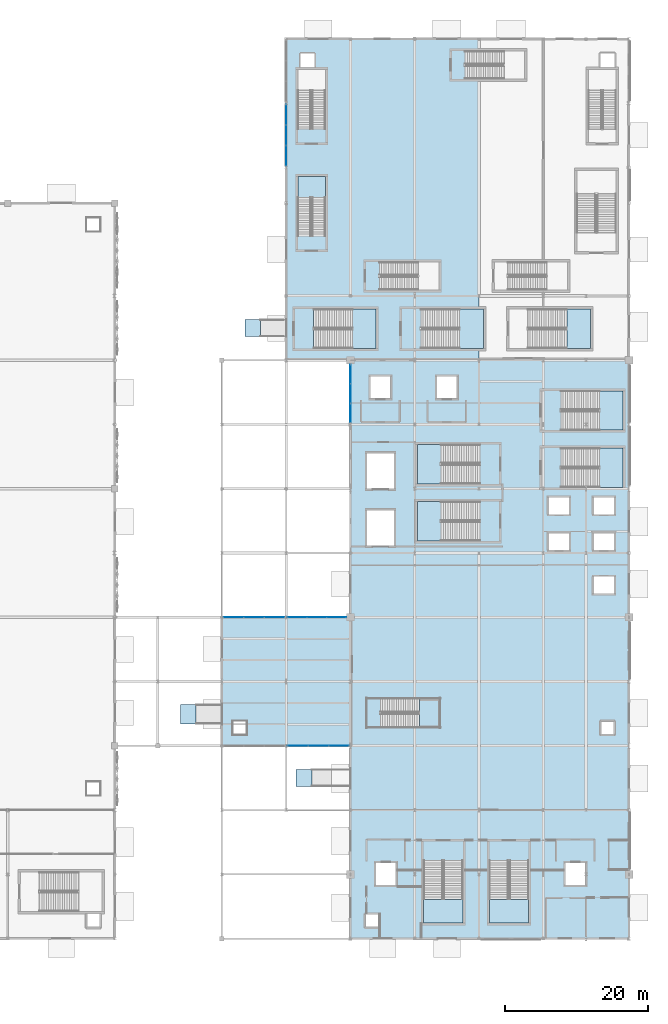
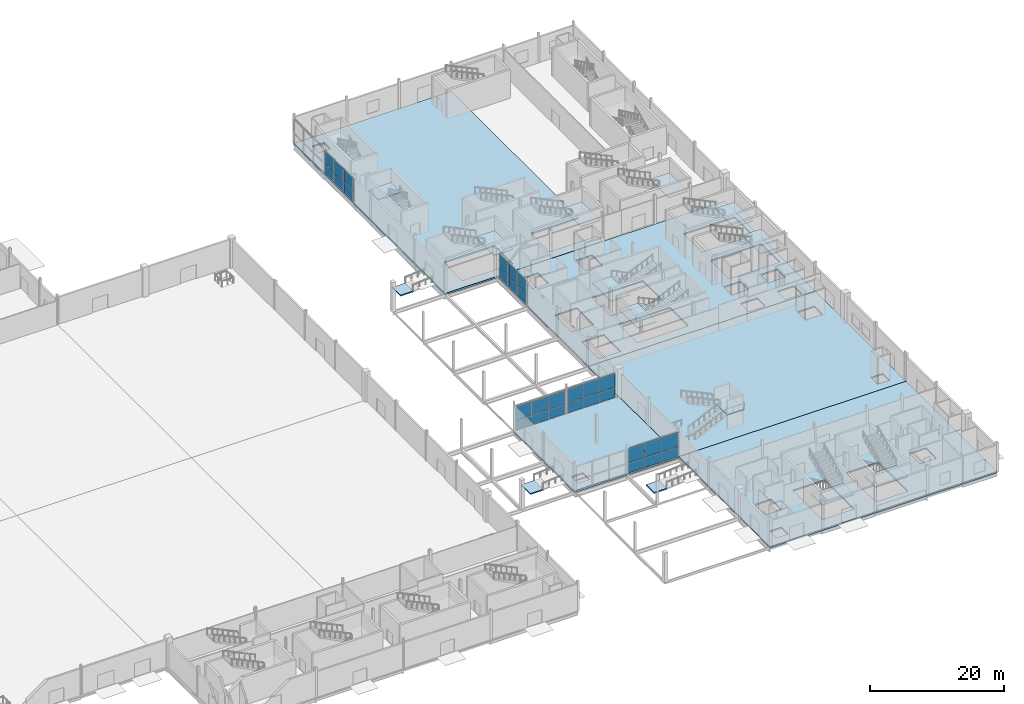
# One storey, part 47 of 94: 30 plates, 19 slabs, 19 elements without a shape of their own.
"""IFC4 building model written with IfcOpenShell, lengths in metres."""

from ifc_helpers import new_model, si_unit, direction, frame, origin, origin_2d, place, context, subcontext, project, spatial, polyline, rectangle, outline, extrude, material, layer, layer_set, type_object, element, aggregate, save


model = new_model("IFC4")

# Units and contexts
model_context = context("Model", 3, precision=1e-05, world=origin(), true_north=direction((0.0, 1.0)))
body_context = subcontext(model_context, "Body", "Model", "MODEL_VIEW")
ifc_project = project(units=[si_unit("LENGTHUNIT", "METRE"), si_unit("AREAUNIT", "SQUARE_METRE"), si_unit("VOLUMEUNIT", "CUBIC_METRE"), si_unit("PLANEANGLEUNIT", "RADIAN"), si_unit("MASSUNIT", "GRAM", prefix="KILO")], contexts=[model_context])

# Site, building, storey
site_placement = place(None, origin())
site = spatial("IfcSite", under=ifc_project, at=site_placement, CompositionType="ELEMENT")
building_placement = place(site_placement, origin())
building = spatial("IfcBuilding", under=site, at=building_placement, Name="Qamarlyn Nura Convention Centre", CompositionType="ELEMENT")
storey_placement = place(building_placement, origin())
storey = spatial("IfcBuildingStorey", under=building, at=storey_placement, Name="L00", CompositionType="ELEMENT", Elevation=0.0)

# Curtain wall, plates
ifc_material_1 = material(Name="Double-silver low-E insulated glass", Category="glass")
ifc_layer_1 = layer(ifc_material_1, 0.179931640625, Name="CW-UNIT-59")
ifc_layer_set_1 = layer_set([ifc_layer_1], Name="Double-silver low-E insulated glass")
curtain_wall_type_1 = type_object("IfcCurtainWallType", Name="CW-UNIT-59", PredefinedType="NOTDEFINED", material=ifc_layer_set_1)
curtain_wall_1_placement = place(storey_placement, origin())
curtain_wall_1 = element("IfcCurtainWall", 1, at=curtain_wall_1_placement, inside=storey, type_object=curtain_wall_type_1, Name="L00 unitised curtain wall WSS-L00-1", PredefinedType="NOTDEFINED")
ifc_layer_2 = layer(ifc_material_1, 0.028076171875, Name="CWP-VIS-28")
ifc_layer_set_2 = layer_set([ifc_layer_2], Name="Double-silver low-E insulated glass")
plate_type_1 = type_object("IfcPlateType", Name="CWP-VIS-28", PredefinedType="CURTAIN_PANEL", material=ifc_layer_set_2)
plate_1_placement = place(storey_placement, frame((151.3662109375, 27.0, 0.06005859375), z_axis=(0.0, 0.0, 1.0), x_axis=(-1.0, 0.0, 0.0)))
plate_1 = element("IfcPlate", 2, at=plate_1_placement, type_object=plate_type_1, Name="CW59 panel 1.1", PredefinedType="CURTAIN_PANEL", context=body_context, shape_type="SweptSolid", body=[
    extrude(rectangle(XDim=2.79248046875, YDim=0.028076171875, at=origin_2d()), origin(), (0.0, 0.0, 1.0), 1.822998046875),
])
plate_2_placement = place(storey_placement, frame((151.3662109375, 27.0, 1.94287109375), z_axis=(0.0, 0.0, 1.0), x_axis=(-1.0, 0.0, 0.0)))
plate_2 = element("IfcPlate", 3, at=plate_2_placement, type_object=plate_type_1, Name="CW59 panel 1.2", PredefinedType="CURTAIN_PANEL", context=body_context, shape_type="SweptSolid", body=[
    extrude(rectangle(XDim=2.79248046875, YDim=0.028076171875, at=origin_2d()), origin(), (0.0, 0.0, 1.0), 2.551025390625),
])
plate_3_placement = place(storey_placement, frame((148.498779296875, 27.0, 0.06005859375), z_axis=(0.0, 0.0, 1.0), x_axis=(-1.0, 0.0, 0.0)))
plate_3 = element("IfcPlate", 4, at=plate_3_placement, type_object=plate_type_1, Name="CW59 panel 2.1", PredefinedType="CURTAIN_PANEL", context=body_context, shape_type="SweptSolid", body=[
    extrude(rectangle(XDim=2.822509765625, YDim=0.028076171875, at=origin_2d()), origin(), (0.0, 0.0, 1.0), 1.822998046875),
])
plate_4_placement = place(storey_placement, frame((148.498779296875, 27.0, 1.94287109375), z_axis=(0.0, 0.0, 1.0), x_axis=(-1.0, 0.0, 0.0)))
plate_4 = element("IfcPlate", 5, at=plate_4_placement, type_object=plate_type_1, Name="CW59 panel 2.2", PredefinedType="CURTAIN_PANEL", context=body_context, shape_type="SweptSolid", body=[
    extrude(rectangle(XDim=2.822509765625, YDim=0.028076171875, at=origin_2d()), origin(), (0.0, 0.0, 1.0), 2.551025390625),
])
plate_5_placement = place(storey_placement, frame((145.63134765625, 27.0, 0.06005859375), z_axis=(0.0, 0.0, 1.0), x_axis=(-1.0, 0.0, 0.0)))
plate_5 = element("IfcPlate", 6, at=plate_5_placement, type_object=plate_type_1, Name="CW59 panel 3.1", PredefinedType="CURTAIN_PANEL", context=body_context, shape_type="SweptSolid", body=[
    extrude(rectangle(XDim=2.79248046875, YDim=0.028076171875, at=origin_2d()), origin(), (0.0, 0.0, 1.0), 1.822998046875),
])
plate_6_placement = place(storey_placement, frame((145.63134765625, 27.0, 1.94287109375), z_axis=(0.0, 0.0, 1.0), x_axis=(-1.0, 0.0, 0.0)))
plate_6 = element("IfcPlate", 7, at=plate_6_placement, type_object=plate_type_1, Name="CW59 panel 3.2", PredefinedType="CURTAIN_PANEL", context=body_context, shape_type="SweptSolid", body=[
    extrude(rectangle(XDim=2.79248046875, YDim=0.028076171875, at=origin_2d()), origin(), (0.0, 0.0, 1.0), 2.551025390625),
])
aggregate(curtain_wall_1, [plate_1, plate_2, plate_3, plate_4, plate_5, plate_6])

ifc_layer_3 = layer(ifc_material_1, 0.179931640625, Name="CW-UNIT-61")
ifc_layer_set_3 = layer_set([ifc_layer_3], Name="Double-silver low-E insulated glass")
curtain_wall_type_2 = type_object("IfcCurtainWallType", Name="CW-UNIT-61", PredefinedType="NOTDEFINED", material=ifc_layer_set_3)
curtain_wall_2_placement = place(storey_placement, origin())
curtain_wall_2 = element("IfcCurtainWall", 8, at=curtain_wall_2_placement, inside=storey, type_object=curtain_wall_type_2, Name="L00 unitised curtain wall WSN-L00-1", PredefinedType="NOTDEFINED")
plate_7_placement = place(storey_placement, frame((136.634765625, 45.0, 0.06494140625), z_axis=(0.0, 0.0, 1.0), x_axis=(1.0, 0.0, 0.0)))
plate_7 = element("IfcPlate", 9, at=plate_7_placement, type_object=plate_type_1, Name="CW61 panel 1.1", PredefinedType="CURTAIN_PANEL", context=body_context, shape_type="SweptSolid", body=[
    extrude(rectangle(XDim=2.783935546875, YDim=0.028076171875, at=origin_2d()), origin(), (0.0, 0.0, 1.0), 1.74755859375),
])
plate_8_placement = place(storey_placement, frame((136.634765625, 45.0, 1.87744140625), z_axis=(0.0, 0.0, 1.0), x_axis=(1.0, 0.0, 0.0)))
plate_8 = element("IfcPlate", 10, at=plate_8_placement, type_object=plate_type_1, Name="CW61 panel 1.2", PredefinedType="CURTAIN_PANEL", context=body_context, shape_type="SweptSolid", body=[
    extrude(rectangle(XDim=2.783935546875, YDim=0.028076171875, at=origin_2d()), origin(), (0.0, 0.0, 1.0), 2.449462890625),
])
plate_9_placement = place(storey_placement, frame((139.5, 45.0, 0.06494140625), z_axis=(0.0, 0.0, 1.0), x_axis=(1.0, 0.0, 0.0)))
plate_9 = element("IfcPlate", 11, at=plate_9_placement, type_object=plate_type_1, Name="CW61 panel 2.1", PredefinedType="CURTAIN_PANEL", context=body_context, shape_type="SweptSolid", body=[
    extrude(rectangle(XDim=2.81640625, YDim=0.028076171875, at=origin_2d()), origin(), (0.0, 0.0, 1.0), 1.74755859375),
])
plate_10_placement = place(storey_placement, frame((139.5, 45.0, 1.87744140625), z_axis=(0.0, 0.0, 1.0), x_axis=(1.0, 0.0, 0.0)))
plate_10 = element("IfcPlate", 12, at=plate_10_placement, type_object=plate_type_1, Name="CW61 panel 2.2", PredefinedType="CURTAIN_PANEL", context=body_context, shape_type="SweptSolid", body=[
    extrude(rectangle(XDim=2.81640625, YDim=0.028076171875, at=origin_2d()), origin(), (0.0, 0.0, 1.0), 2.449462890625),
])
plate_11_placement = place(storey_placement, frame((142.365234375, 45.0, 0.06494140625), z_axis=(0.0, 0.0, 1.0), x_axis=(1.0, 0.0, 0.0)))
plate_11 = element("IfcPlate", 13, at=plate_11_placement, type_object=plate_type_1, Name="CW61 panel 3.1", PredefinedType="CURTAIN_PANEL", context=body_context, shape_type="SweptSolid", body=[
    extrude(rectangle(XDim=2.783935546875, YDim=0.028076171875, at=origin_2d()), origin(), (0.0, 0.0, 1.0), 1.74755859375),
])
plate_12_placement = place(storey_placement, frame((142.365234375, 45.0, 1.87744140625), z_axis=(0.0, 0.0, 1.0), x_axis=(1.0, 0.0, 0.0)))
plate_12 = element("IfcPlate", 14, at=plate_12_placement, type_object=plate_type_1, Name="CW61 panel 3.2", PredefinedType="CURTAIN_PANEL", context=body_context, shape_type="SweptSolid", body=[
    extrude(rectangle(XDim=2.783935546875, YDim=0.028076171875, at=origin_2d()), origin(), (0.0, 0.0, 1.0), 2.449462890625),
])
aggregate(curtain_wall_2, [plate_7, plate_8, plate_9, plate_10, plate_11, plate_12])

ifc_layer_4 = layer(ifc_material_1, 0.179931640625, Name="CW-UNIT-63")
ifc_layer_set_4 = layer_set([ifc_layer_4], Name="Double-silver low-E insulated glass")
curtain_wall_type_3 = type_object("IfcCurtainWallType", Name="CW-UNIT-63", PredefinedType="NOTDEFINED", material=ifc_layer_set_4)
curtain_wall_3_placement = place(storey_placement, origin())
curtain_wall_3 = element("IfcCurtainWall", 15, at=curtain_wall_3_placement, inside=storey, type_object=curtain_wall_type_3, Name="L00 unitised curtain wall CRT-72-1", PredefinedType="NOTDEFINED")
plate_13_placement = place(storey_placement, frame((153.0, 73.60302734375, 0.06982421875), z_axis=(0.0, 0.0, 1.0), x_axis=(0.0, 1.0, 0.0)))
plate_13 = element("IfcPlate", 16, at=plate_13_placement, type_object=plate_type_1, Name="CW63 panel 1.1", PredefinedType="CURTAIN_PANEL", context=body_context, shape_type="SweptSolid", body=[
    extrude(rectangle(XDim=2.640869140625, YDim=0.028076171875, at=origin_2d()), origin(), (0.0, 0.0, 1.0), 1.777099609375),
])
plate_14_placement = place(storey_placement, frame((153.0, 73.60302734375, 1.9169921875), z_axis=(0.0, 0.0, 1.0), x_axis=(0.0, 1.0, 0.0)))
plate_14 = element("IfcPlate", 17, at=plate_14_placement, type_object=plate_type_1, Name="CW63 panel 1.2", PredefinedType="CURTAIN_PANEL", context=body_context, shape_type="SweptSolid", body=[
    extrude(rectangle(XDim=2.640869140625, YDim=0.028076171875, at=origin_2d()), origin(), (0.0, 0.0, 1.0), 2.493896484375),
])
plate_15_placement = place(storey_placement, frame((153.0, 76.331298828125, 0.06982421875), z_axis=(0.0, 0.0, 1.0), x_axis=(0.0, 1.0, 0.0)))
plate_15 = element("IfcPlate", 18, at=plate_15_placement, type_object=plate_type_1, Name="CW63 panel 2.1", PredefinedType="CURTAIN_PANEL", context=body_context, shape_type="SweptSolid", body=[
    extrude(rectangle(XDim=2.67578125, YDim=0.028076171875, at=origin_2d()), origin(), (0.0, 0.0, 1.0), 1.777099609375),
])
plate_16_placement = place(storey_placement, frame((153.0, 76.331298828125, 1.9169921875), z_axis=(0.0, 0.0, 1.0), x_axis=(0.0, 1.0, 0.0)))
plate_16 = element("IfcPlate", 19, at=plate_16_placement, type_object=plate_type_1, Name="CW63 panel 2.2", PredefinedType="CURTAIN_PANEL", context=body_context, shape_type="SweptSolid", body=[
    extrude(rectangle(XDim=2.67578125, YDim=0.028076171875, at=origin_2d()), origin(), (0.0, 0.0, 1.0), 2.493896484375),
])
plate_17_placement = place(storey_placement, frame((153.0, 79.0595703125, 0.06982421875), z_axis=(0.0, 0.0, 1.0), x_axis=(0.0, 1.0, 0.0)))
plate_17 = element("IfcPlate", 20, at=plate_17_placement, type_object=plate_type_1, Name="CW63 panel 3.1", PredefinedType="CURTAIN_PANEL", context=body_context, shape_type="SweptSolid", body=[
    extrude(rectangle(XDim=2.640869140625, YDim=0.028076171875, at=origin_2d()), origin(), (0.0, 0.0, 1.0), 1.777099609375),
])
plate_18_placement = place(storey_placement, frame((153.0, 79.0595703125, 1.9169921875), z_axis=(0.0, 0.0, 1.0), x_axis=(0.0, 1.0, 0.0)))
plate_18 = element("IfcPlate", 21, at=plate_18_placement, type_object=plate_type_1, Name="CW63 panel 3.2", PredefinedType="CURTAIN_PANEL", context=body_context, shape_type="SweptSolid", body=[
    extrude(rectangle(XDim=2.640869140625, YDim=0.028076171875, at=origin_2d()), origin(), (0.0, 0.0, 1.0), 2.493896484375),
])
aggregate(curtain_wall_3, [plate_13, plate_14, plate_15, plate_16, plate_17, plate_18])

ifc_layer_5 = layer(ifc_material_1, 0.179931640625, Name="CW-UNIT-64")
ifc_layer_set_5 = layer_set([ifc_layer_5], Name="Double-silver low-E insulated glass")
curtain_wall_type_4 = type_object("IfcCurtainWallType", Name="CW-UNIT-64", PredefinedType="NOTDEFINED", material=ifc_layer_set_5)
curtain_wall_4_placement = place(storey_placement, origin())
curtain_wall_4 = element("IfcCurtainWall", 22, at=curtain_wall_4_placement, inside=storey, type_object=curtain_wall_type_4, Name="L00 unitised curtain wall PLW-108-1", PredefinedType="NOTDEFINED")
plate_19_placement = place(storey_placement, frame((144.0, 109.64892578125, 0.06494140625), z_axis=(0.0, 0.0, 1.0), x_axis=(0.0, 1.0, 0.0)))
plate_19 = element("IfcPlate", 23, at=plate_19_placement, type_object=plate_type_1, Name="CW64 panel 1.1", PredefinedType="CURTAIN_PANEL", context=body_context, shape_type="SweptSolid", body=[
    extrude(rectangle(XDim=2.77490234375, YDim=0.028076171875, at=origin_2d()), origin(), (0.0, 0.0, 1.0), 1.738525390625),
])
plate_20_placement = place(storey_placement, frame((144.0, 109.64892578125, 1.868408203125), z_axis=(0.0, 0.0, 1.0), x_axis=(0.0, 1.0, 0.0)))
plate_20 = element("IfcPlate", 24, at=plate_20_placement, type_object=plate_type_1, Name="CW64 panel 1.2", PredefinedType="CURTAIN_PANEL", context=body_context, shape_type="SweptSolid", body=[
    extrude(rectangle(XDim=2.77490234375, YDim=0.028076171875, at=origin_2d()), origin(), (0.0, 0.0, 1.0), 2.4384765625),
])
plate_21_placement = place(storey_placement, frame((144.0, 112.50537109375, 0.06494140625), z_axis=(0.0, 0.0, 1.0), x_axis=(0.0, 1.0, 0.0)))
plate_21 = element("IfcPlate", 25, at=plate_21_placement, type_object=plate_type_1, Name="CW64 panel 2.1", PredefinedType="CURTAIN_PANEL", context=body_context, shape_type="SweptSolid", body=[
    extrude(rectangle(XDim=2.8076171875, YDim=0.028076171875, at=origin_2d()), origin(), (0.0, 0.0, 1.0), 1.738525390625),
])
plate_22_placement = place(storey_placement, frame((144.0, 112.50537109375, 1.868408203125), z_axis=(0.0, 0.0, 1.0), x_axis=(0.0, 1.0, 0.0)))
plate_22 = element("IfcPlate", 26, at=plate_22_placement, type_object=plate_type_1, Name="CW64 panel 2.2", PredefinedType="CURTAIN_PANEL", context=body_context, shape_type="SweptSolid", body=[
    extrude(rectangle(XDim=2.8076171875, YDim=0.028076171875, at=origin_2d()), origin(), (0.0, 0.0, 1.0), 2.4384765625),
])
plate_23_placement = place(storey_placement, frame((144.0, 115.361572265625, 0.06494140625), z_axis=(0.0, 0.0, 1.0), x_axis=(0.0, 1.0, 0.0)))
plate_23 = element("IfcPlate", 27, at=plate_23_placement, type_object=plate_type_1, Name="CW64 panel 3.1", PredefinedType="CURTAIN_PANEL", context=body_context, shape_type="SweptSolid", body=[
    extrude(rectangle(XDim=2.77490234375, YDim=0.028076171875, at=origin_2d()), origin(), (0.0, 0.0, 1.0), 1.738525390625),
])
plate_24_placement = place(storey_placement, frame((144.0, 115.361572265625, 1.868408203125), z_axis=(0.0, 0.0, 1.0), x_axis=(0.0, 1.0, 0.0)))
plate_24 = element("IfcPlate", 28, at=plate_24_placement, type_object=plate_type_1, Name="CW64 panel 3.2", PredefinedType="CURTAIN_PANEL", context=body_context, shape_type="SweptSolid", body=[
    extrude(rectangle(XDim=2.77490234375, YDim=0.028076171875, at=origin_2d()), origin(), (0.0, 0.0, 1.0), 2.4384765625),
])
aggregate(curtain_wall_4, [plate_19, plate_20, plate_21, plate_22, plate_23, plate_24])

ifc_layer_6 = layer(ifc_material_1, 0.179931640625, Name="CW-UNIT-62")
ifc_layer_set_6 = layer_set([ifc_layer_6], Name="Double-silver low-E insulated glass")
curtain_wall_type_5 = type_object("IfcCurtainWallType", Name="CW-UNIT-62", PredefinedType="NOTDEFINED", material=ifc_layer_set_6)
curtain_wall_5_placement = place(storey_placement, origin())
curtain_wall_5 = element("IfcCurtainWall", 29, at=curtain_wall_5_placement, inside=storey, type_object=curtain_wall_type_5, Name="L00 unitised curtain wall WSN-L00-2", PredefinedType="NOTDEFINED")
ifc_layer_7 = layer(ifc_material_1, 0.031982421875, Name="CWP-VIS-32")
ifc_layer_set_7 = layer_set([ifc_layer_7], Name="Double-silver low-E insulated glass")
plate_type_2 = type_object("IfcPlateType", Name="CWP-VIS-32", PredefinedType="CURTAIN_PANEL", material=ifc_layer_set_7)
plate_25_placement = place(storey_placement, frame((145.571533203125, 45.0, 0.06005859375), z_axis=(0.0, 0.0, 1.0), x_axis=(1.0, 0.0, 0.0)))
plate_25 = element("IfcPlate", 30, at=plate_25_placement, type_object=plate_type_2, Name="CW62 panel 1.1", PredefinedType="CURTAIN_PANEL", context=body_context, shape_type="SweptSolid", body=[
    extrude(rectangle(XDim=2.66748046875, YDim=0.031982421875, at=origin_2d()), origin(), (0.0, 0.0, 1.0), 1.787109375),
])
plate_26_placement = place(storey_placement, frame((145.571533203125, 45.0, 1.906982421875), z_axis=(0.0, 0.0, 1.0), x_axis=(1.0, 0.0, 0.0)))
plate_26 = element("IfcPlate", 31, at=plate_26_placement, type_object=plate_type_2, Name="CW62 panel 1.2", PredefinedType="CURTAIN_PANEL", context=body_context, shape_type="SweptSolid", body=[
    extrude(rectangle(XDim=2.66748046875, YDim=0.031982421875, at=origin_2d()), origin(), (0.0, 0.0, 1.0), 2.5029296875),
])
plate_27_placement = place(storey_placement, frame((148.31396484375, 45.0, 0.06005859375), z_axis=(0.0, 0.0, 1.0), x_axis=(1.0, 0.0, 0.0)))
plate_27 = element("IfcPlate", 32, at=plate_27_placement, type_object=plate_type_2, Name="CW62 panel 2.1", PredefinedType="CURTAIN_PANEL", context=body_context, shape_type="SweptSolid", body=[
    extrude(rectangle(XDim=2.697509765625, YDim=0.031982421875, at=origin_2d()), origin(), (0.0, 0.0, 1.0), 1.787109375),
])
plate_28_placement = place(storey_placement, frame((148.31396484375, 45.0, 1.906982421875), z_axis=(0.0, 0.0, 1.0), x_axis=(1.0, 0.0, 0.0)))
plate_28 = element("IfcPlate", 33, at=plate_28_placement, type_object=plate_type_2, Name="CW62 panel 2.2", PredefinedType="CURTAIN_PANEL", context=body_context, shape_type="SweptSolid", body=[
    extrude(rectangle(XDim=2.697509765625, YDim=0.031982421875, at=origin_2d()), origin(), (0.0, 0.0, 1.0), 2.5029296875),
])
plate_29_placement = place(storey_placement, frame((151.056396484375, 45.0, 0.06005859375), z_axis=(0.0, 0.0, 1.0), x_axis=(1.0, 0.0, 0.0)))
plate_29 = element("IfcPlate", 34, at=plate_29_placement, type_object=plate_type_2, Name="CW62 panel 3.1", PredefinedType="CURTAIN_PANEL", context=body_context, shape_type="SweptSolid", body=[
    extrude(rectangle(XDim=2.66748046875, YDim=0.031982421875, at=origin_2d()), origin(), (0.0, 0.0, 1.0), 1.787109375),
])
plate_30_placement = place(storey_placement, frame((151.056396484375, 45.0, 1.906982421875), z_axis=(0.0, 0.0, 1.0), x_axis=(1.0, 0.0, 0.0)))
plate_30 = element("IfcPlate", 35, at=plate_30_placement, type_object=plate_type_2, Name="CW62 panel 3.2", PredefinedType="CURTAIN_PANEL", context=body_context, shape_type="SweptSolid", body=[
    extrude(rectangle(XDim=2.66748046875, YDim=0.031982421875, at=origin_2d()), origin(), (0.0, 0.0, 1.0), 2.5029296875),
])
aggregate(curtain_wall_5, [plate_25, plate_26, plate_27, plate_28, plate_29, plate_30])

# Slabs
ifc_material_2 = material(Name="Concrete C40/50", Category="concrete")
ifc_layer_8 = layer(ifc_material_2, 0.300048828125, Name="SL-L00")
ifc_layer_set_8 = layer_set([ifc_layer_8], Name="Concrete C40/50")
slab_type_1 = type_object("IfcSlabType", Name="SL-L00", PredefinedType="FLOOR", material=ifc_layer_set_8)
slab_1_placement = place(storey_placement, frame((0.0, 0.0, -0.300048828125)))
element("IfcSlab", 36, at=slab_1_placement, inside=storey, type_object=slab_type_1, Name="L00 floor slab L00-RCW", PredefinedType="FLOOR", context=body_context, shape_type="SweptSolid", body=[
    extrude(outline(polyline([(135.0, 45.0), (153.0, 45.0), (153.0, 27.0), (135.0, 27.0), (135.0, 45.0)]), holes=[polyline([(136.5, 30.5), (136.5, 28.5), (138.5, 28.5), (138.5, 30.5), (136.5, 30.5)])]), origin(), (0.0, 0.0, 1.0), 0.300048828125),
])
slab_2_placement = place(storey_placement, frame((0.0, 0.0, -0.280029296875)))
element("IfcSlab", 37, at=slab_2_placement, inside=storey, type_object=slab_type_1, Name="L00 floor slab L00-E1", PredefinedType="FLOOR", context=body_context, shape_type="SweptSolid", body=[
    extrude(outline(polyline([(153.0, 27.0), (192.0, 27.0), (192.0, 0.0), (153.0, 0.0), (153.0, 27.0)]), holes=[polyline([(155.0, 3.5), (155.0, 1.5), (157.0, 1.5), (157.0, 3.5), (155.0, 3.5)]), polyline([(159.35009765625, 7.5), (159.35009765625, 10.60009765625), (156.550048828125, 10.60009765625), (156.550048828125, 7.5), (159.35009765625, 7.5)]), polyline([(163.25, 10.93994140625), (163.25, 2.199951171875), (168.75, 2.199951171875), (168.75, 10.93994140625), (163.25, 10.93994140625)]), polyline([(172.449951171875, 10.93994140625), (172.449951171875, 2.199951171875), (177.949951171875, 2.199951171875), (177.949951171875, 10.93994140625), (172.449951171875, 10.93994140625)]), polyline([(185.89990234375, 7.5), (185.89990234375, 10.60009765625), (183.10009765625, 10.60009765625), (183.10009765625, 7.5), (185.89990234375, 7.5)])]), origin(), (0.0, 0.0, 1.0), 0.280029296875),
])
slab_3_placement = place(storey_placement, frame((0.0, 0.0, -0.280029296875)))
element("IfcSlab", 38, at=slab_3_placement, inside=storey, type_object=slab_type_1, Name="L00 floor slab L00-E2", PredefinedType="FLOOR", context=body_context, shape_type="SweptSolid", body=[
    extrude(outline(polyline([(153.0, 54.0), (192.0, 54.0), (192.0, 27.0), (153.0, 27.0), (153.0, 54.0)]), holes=[polyline([(188.0, 30.5), (188.0, 28.5), (190.0, 28.5), (190.0, 30.5), (188.0, 30.5)]), polyline([(189.925048828125, 48.300048828125), (189.925048828125, 50.699951171875), (187.074951171875, 50.699951171875), (187.074951171875, 48.300048828125), (189.925048828125, 48.300048828125)])]), origin(), (0.0, 0.0, 1.0), 0.280029296875),
])
slab_4_placement = place(storey_placement, frame((0.0, 0.0, -0.280029296875)))
element("IfcSlab", 39, at=slab_4_placement, inside=storey, type_object=slab_type_1, Name="L00 floor slab L00-PL1", PredefinedType="FLOOR", context=body_context, shape_type="SweptSolid", body=[
    extrude(outline(polyline([(144.0, 126.0), (171.0, 126.0), (171.0, 88.14990234375), (162.860107421875, 88.14990234375), (162.860107421875, 82.64990234375), (171.0, 82.64990234375), (171.0, 81.0), (144.0, 81.0), (144.0, 126.0)]), holes=[polyline([(146.0, 124.0), (146.0, 122.0), (148.0, 122.0), (148.0, 124.0), (146.0, 124.0)]), polyline([(147.860107421875, 82.64990234375), (156.60009765625, 82.64990234375), (156.60009765625, 88.14990234375), (147.860107421875, 88.14990234375), (147.860107421875, 82.64990234375)])]), origin(), (0.0, 0.0, 1.0), 0.280029296875),
])
ifc_layer_9 = layer(ifc_material_2, 0.260009765625, Name="SL-L00-KT")
ifc_layer_set_9 = layer_set([ifc_layer_9], Name="Concrete C40/50")
slab_type_2 = type_object("IfcSlabType", Name="SL-L00-KT", PredefinedType="FLOOR", material=ifc_layer_set_9)
slab_5_placement = place(storey_placement, frame((0.0, 0.0, -0.260009765625)))
element("IfcSlab", 40, at=slab_5_placement, inside=storey, type_object=slab_type_2, Name="L00 floor slab L00-E3", PredefinedType="FLOOR", context=body_context, shape_type="SweptSolid", body=[
    extrude(outline(polyline([(153.0, 54.0), (153.0, 81.0), (192.0, 81.0), (192.0, 54.0), (153.0, 54.0)]), holes=[polyline([(159.10009765625, 55.0), (159.10009765625, 60.0), (155.300048828125, 60.0), (155.300048828125, 55.0), (159.10009765625, 55.0)]), polyline([(159.10009765625, 63.0), (159.10009765625, 68.0), (155.300048828125, 68.0), (155.300048828125, 63.0), (159.10009765625, 63.0)]), polyline([(158.60009765625, 75.64990234375), (158.60009765625, 78.75), (155.800048828125, 78.75), (155.800048828125, 75.64990234375), (158.60009765625, 75.64990234375)]), polyline([(183.625, 54.39990234375), (183.625, 56.800048828125), (180.77490234375, 56.800048828125), (180.77490234375, 54.39990234375), (183.625, 54.39990234375)]), polyline([(189.925048828125, 54.39990234375), (189.925048828125, 56.800048828125), (187.074951171875, 56.800048828125), (187.074951171875, 54.39990234375), (189.925048828125, 54.39990234375)]), polyline([(171.139892578125, 61.199951171875), (162.39990234375, 61.199951171875), (162.39990234375, 55.699951171875), (171.139892578125, 55.699951171875), (171.139892578125, 61.199951171875)]), polyline([(183.625, 59.39990234375), (183.625, 61.800048828125), (180.77490234375, 61.800048828125), (180.77490234375, 59.39990234375), (183.625, 59.39990234375)]), polyline([(189.925048828125, 59.39990234375), (189.925048828125, 61.800048828125), (187.074951171875, 61.800048828125), (187.074951171875, 59.39990234375), (189.925048828125, 59.39990234375)]), polyline([(182.4599609375, 63.199951171875), (191.199951171875, 63.199951171875), (191.199951171875, 68.699951171875), (182.4599609375, 68.699951171875), (182.4599609375, 63.199951171875)]), polyline([(171.139892578125, 69.199951171875), (162.39990234375, 69.199951171875), (162.39990234375, 63.699951171875), (171.139892578125, 63.699951171875), (171.139892578125, 69.199951171875)]), polyline([(182.4599609375, 71.199951171875), (191.199951171875, 71.199951171875), (191.199951171875, 76.699951171875), (182.4599609375, 76.699951171875), (182.4599609375, 71.199951171875)]), polyline([(167.89990234375, 75.64990234375), (167.89990234375, 78.75), (165.10009765625, 78.75), (165.10009765625, 75.64990234375), (167.89990234375, 75.64990234375)])]), origin(), (0.0, 0.0, 1.0), 0.260009765625),
])

# Stair, slab
stair_type_1 = type_object("IfcStairType", Name="STAIR-EXIT-54", PredefinedType="HALF_TURN_STAIR", material=ifc_material_2)
stair_1_placement = place(storey_placement, origin())
stair_1 = element("IfcStair", 41, at=stair_1_placement, inside=storey, type_object=stair_type_1, Name="L00 Enclosed exit stair ST-09", PredefinedType="HALF_TURN_STAIR")
ifc_layer_10 = layer(ifc_material_2, 0.199951171875, Name="SL-LAND-200")
ifc_layer_set_10 = layer_set([ifc_layer_10], Name="Concrete C40/50")
slab_type_3 = type_object("IfcSlabType", Name="SL-LAND-200", PredefinedType="LANDING", material=ifc_layer_set_10)
slab_6_placement = place(storey_placement, frame((0.0, 0.0, 2.5)))
slab_6 = element("IfcSlab", 42, at=slab_6_placement, type_object=slab_type_3, Name="ST-09 landing 1", PredefinedType="LANDING", context=body_context, shape_type="SweptSolid", body=[
    extrude(outline(polyline([(163.25, 5.5), (163.25, 2.199951171875), (168.75, 2.199951171875), (168.75, 5.5), (163.25, 5.5)])), origin(), (0.0, 0.0, 1.0), 0.199951171875),
])
aggregate(stair_1, [slab_6])

stair_2_placement = place(storey_placement, origin())
stair_2 = element("IfcStair", 43, at=stair_2_placement, inside=storey, type_object=stair_type_1, Name="L00 Enclosed exit stair ST-10", PredefinedType="HALF_TURN_STAIR")
slab_7_placement = place(storey_placement, frame((0.0, 0.0, 2.5)))
slab_7 = element("IfcSlab", 44, at=slab_7_placement, type_object=slab_type_3, Name="ST-10 landing 1", PredefinedType="LANDING", context=body_context, shape_type="SweptSolid", body=[
    extrude(outline(polyline([(172.449951171875, 5.5), (172.449951171875, 2.199951171875), (177.949951171875, 2.199951171875), (177.949951171875, 5.5), (172.449951171875, 5.5)])), origin(), (0.0, 0.0, 1.0), 0.199951171875),
])
aggregate(stair_2, [slab_7])

stair_3_placement = place(storey_placement, origin())
stair_3 = element("IfcStair", 45, at=stair_3_placement, inside=storey, type_object=stair_type_1, Name="L00 Enclosed exit stair ST-11", PredefinedType="HALF_TURN_STAIR")
slab_8_placement = place(storey_placement, frame((0.0, 0.0, 2.5)))
slab_8 = element("IfcSlab", 46, at=slab_8_placement, type_object=slab_type_3, Name="ST-11 landing 1", PredefinedType="LANDING", context=body_context, shape_type="SweptSolid", body=[
    extrude(outline(polyline([(165.699951171875, 61.199951171875), (162.39990234375, 61.199951171875), (162.39990234375, 55.699951171875), (165.699951171875, 55.699951171875), (165.699951171875, 61.199951171875)])), origin(), (0.0, 0.0, 1.0), 0.199951171875),
])
aggregate(stair_3, [slab_8])

stair_4_placement = place(storey_placement, origin())
stair_4 = element("IfcStair", 47, at=stair_4_placement, inside=storey, type_object=stair_type_1, Name="L00 Enclosed exit stair ST-12", PredefinedType="HALF_TURN_STAIR")
slab_9_placement = place(storey_placement, frame((0.0, 0.0, 2.5)))
slab_9 = element("IfcSlab", 48, at=slab_9_placement, type_object=slab_type_3, Name="ST-12 landing 1", PredefinedType="LANDING", context=body_context, shape_type="SweptSolid", body=[
    extrude(outline(polyline([(165.699951171875, 69.199951171875), (162.39990234375, 69.199951171875), (162.39990234375, 63.699951171875), (165.699951171875, 63.699951171875), (165.699951171875, 69.199951171875)])), origin(), (0.0, 0.0, 1.0), 0.199951171875),
])
aggregate(stair_4, [slab_9])

stair_5_placement = place(storey_placement, origin())
stair_5 = element("IfcStair", 49, at=stair_5_placement, inside=storey, type_object=stair_type_1, Name="L00 Enclosed exit stair ST-13", PredefinedType="HALF_TURN_STAIR")
slab_10_placement = place(storey_placement, frame((0.0, 0.0, 2.5)))
slab_10 = element("IfcSlab", 50, at=slab_10_placement, type_object=slab_type_3, Name="ST-13 landing 1", PredefinedType="LANDING", context=body_context, shape_type="SweptSolid", body=[
    extrude(outline(polyline([(187.89990234375, 63.199951171875), (191.199951171875, 63.199951171875), (191.199951171875, 68.699951171875), (187.89990234375, 68.699951171875), (187.89990234375, 63.199951171875)])), origin(), (0.0, 0.0, 1.0), 0.199951171875),
])
aggregate(stair_5, [slab_10])

stair_6_placement = place(storey_placement, origin())
stair_6 = element("IfcStair", 51, at=stair_6_placement, inside=storey, type_object=stair_type_1, Name="L00 Enclosed exit stair ST-14", PredefinedType="HALF_TURN_STAIR")
slab_11_placement = place(storey_placement, frame((0.0, 0.0, 2.5)))
slab_11 = element("IfcSlab", 52, at=slab_11_placement, type_object=slab_type_3, Name="ST-14 landing 1", PredefinedType="LANDING", context=body_context, shape_type="SweptSolid", body=[
    extrude(outline(polyline([(187.89990234375, 71.199951171875), (191.199951171875, 71.199951171875), (191.199951171875, 76.699951171875), (187.89990234375, 76.699951171875), (187.89990234375, 71.199951171875)])), origin(), (0.0, 0.0, 1.0), 0.199951171875),
])
aggregate(stair_6, [slab_11])

stair_7_placement = place(storey_placement, origin())
stair_7 = element("IfcStair", 53, at=stair_7_placement, inside=storey, type_object=stair_type_1, Name="L00 Enclosed exit stair ST-15", PredefinedType="HALF_TURN_STAIR")
slab_12_placement = place(storey_placement, frame((0.0, 0.0, 2.5)))
slab_12 = element("IfcSlab", 54, at=slab_12_placement, type_object=slab_type_3, Name="ST-15 landing 1", PredefinedType="LANDING", context=body_context, shape_type="SweptSolid", body=[
    extrude(outline(polyline([(153.300048828125, 82.64990234375), (156.60009765625, 82.64990234375), (156.60009765625, 88.14990234375), (153.300048828125, 88.14990234375), (153.300048828125, 82.64990234375)])), origin(), (0.0, 0.0, 1.0), 0.199951171875),
])
aggregate(stair_7, [slab_12])

stair_8_placement = place(storey_placement, origin())
stair_8 = element("IfcStair", 55, at=stair_8_placement, inside=storey, type_object=stair_type_1, Name="L00 Enclosed exit stair ST-16", PredefinedType="HALF_TURN_STAIR")
slab_13_placement = place(storey_placement, frame((0.0, 0.0, 2.5)))
slab_13 = element("IfcSlab", 56, at=slab_13_placement, type_object=slab_type_3, Name="ST-16 landing 1", PredefinedType="LANDING", context=body_context, shape_type="SweptSolid", body=[
    extrude(outline(polyline([(168.300048828125, 82.64990234375), (171.60009765625, 82.64990234375), (171.60009765625, 88.14990234375), (168.300048828125, 88.14990234375), (168.300048828125, 82.64990234375)])), origin(), (0.0, 0.0, 1.0), 0.199951171875),
])
aggregate(stair_8, [slab_13])

stair_9_placement = place(storey_placement, origin())
stair_9 = element("IfcStair", 57, at=stair_9_placement, inside=storey, type_object=stair_type_1, Name="L00 Enclosed exit stair ST-17", PredefinedType="HALF_TURN_STAIR")
slab_14_placement = place(storey_placement, frame((0.0, 0.0, 2.5)))
slab_14 = element("IfcSlab", 58, at=slab_14_placement, type_object=slab_type_3, Name="ST-17 landing 1", PredefinedType="LANDING", context=body_context, shape_type="SweptSolid", body=[
    extrude(outline(polyline([(183.300048828125, 82.64990234375), (186.60009765625, 82.64990234375), (186.60009765625, 88.14990234375), (183.300048828125, 88.14990234375), (183.300048828125, 82.64990234375)])), origin(), (0.0, 0.0, 1.0), 0.199951171875),
])
aggregate(stair_9, [slab_14])

stair_type_2 = type_object("IfcStairType", Name="STAIR-FOY2-54", PredefinedType="HALF_TURN_STAIR", material=ifc_material_2)
stair_10_placement = place(storey_placement, origin())
stair_10 = element("IfcStair", 59, at=stair_10_placement, inside=storey, type_object=stair_type_2, Name="L00 Foyer feature stair ST-20", PredefinedType="HALF_TURN_STAIR")
slab_15_placement = place(storey_placement, frame((0.0, 0.0, 2.5)))
slab_15 = element("IfcSlab", 60, at=slab_15_placement, type_object=slab_type_3, Name="ST-20 landing 1", PredefinedType="LANDING", context=body_context, shape_type="SweptSolid", body=[
    extrude(outline(polyline([(162.639892578125, 29.5), (165.60009765625, 29.5), (165.60009765625, 33.679931640625), (162.639892578125, 33.679931640625), (162.639892578125, 29.5)])), origin(), (0.0, 0.0, 1.0), 0.199951171875),
])
aggregate(stair_10, [slab_15])

stair_type_3 = type_object("IfcStairType", Name="STAIR-VOM-54", PredefinedType="HALF_TURN_STAIR", material=ifc_material_2)
stair_11_placement = place(storey_placement, origin())
stair_11 = element("IfcStair", 61, at=stair_11_placement, inside=storey, type_object=stair_type_3, Name="L00 Plenary vomitory stair ST-VOM1", PredefinedType="HALF_TURN_STAIR")
slab_16_placement = place(storey_placement, frame((0.0, 0.0, 2.5)))
slab_16 = element("IfcSlab", 62, at=slab_16_placement, type_object=slab_type_3, Name="ST-VOM1 landing 1", PredefinedType="LANDING", context=body_context, shape_type="SweptSolid", body=[
    extrude(outline(polyline([(149.5, 103.7900390625), (149.5, 106.699951171875), (145.6201171875, 106.699951171875), (145.6201171875, 103.7900390625), (149.5, 103.7900390625)])), origin(), (0.0, 0.0, 1.0), 0.199951171875),
])
aggregate(stair_11, [slab_16])

# Ramp, slab
ramp_type_1 = type_object("IfcRampType", Name="RAMP-PED-240", PredefinedType="STRAIGHT_RUN_RAMP", material=ifc_material_2)
ramp_1_placement = place(storey_placement, origin())
ramp_1 = element("IfcRamp", 63, at=ramp_1_placement, inside=storey, type_object=ramp_type_1, Name="South Forecourt accessible entrance ramp PR-01", PredefinedType="STRAIGHT_RUN_RAMP")
slab_17_placement = place(storey_placement, frame((0.0, 0.0, -0.64990234375)))
slab_17 = element("IfcSlab", 64, at=slab_17_placement, type_object=slab_type_3, Name="South Forecourt accessible entrance ramp PR-01 landing 1", PredefinedType="LANDING", context=body_context, shape_type="SweptSolid", body=[
    extrude(outline(polyline([(145.39990234375, 21.300048828125), (147.60009765625, 21.300048828125), (147.60009765625, 23.699951171875), (145.39990234375, 23.699951171875), (145.39990234375, 21.300048828125)])), origin(), (0.0, 0.0, 1.0), 0.199951171875),
])
aggregate(ramp_1, [slab_17])

ramp_type_2 = type_object("IfcRampType", Name="RAMP-PED-270", PredefinedType="STRAIGHT_RUN_RAMP", material=ifc_material_2)
ramp_2_placement = place(storey_placement, origin())
ramp_2 = element("IfcRamp", 65, at=ramp_2_placement, inside=storey, type_object=ramp_type_2, Name="Passage Concourse accessible entrance ramp PR-02", PredefinedType="STRAIGHT_RUN_RAMP")
slab_18_placement = place(storey_placement, frame((0.0, 0.0, -0.5)))
slab_18 = element("IfcSlab", 66, at=slab_18_placement, type_object=slab_type_3, Name="Passage Concourse accessible entrance ramp PR-02 landing 1", PredefinedType="LANDING", context=body_context, shape_type="SweptSolid", body=[
    extrude(outline(polyline([(129.199951171875, 30.080078125), (131.39990234375, 30.080078125), (131.39990234375, 32.780029296875), (129.199951171875, 32.780029296875), (129.199951171875, 30.080078125)])), origin(), (0.0, 0.0, 1.0), 0.199951171875),
])
aggregate(ramp_2, [slab_18])

ramp_3_placement = place(storey_placement, origin())
ramp_3 = element("IfcRamp", 67, at=ramp_3_placement, inside=storey, type_object=ramp_type_1, Name="North Plenary accessible entrance ramp PR-04", PredefinedType="STRAIGHT_RUN_RAMP")
slab_19_placement = place(storey_placement, frame((0.0, 0.0, -0.5)))
slab_19 = element("IfcSlab", 68, at=slab_19_placement, type_object=slab_type_3, Name="North Plenary accessible entrance ramp PR-04 landing 1", PredefinedType="LANDING", context=body_context, shape_type="SweptSolid", body=[
    extrude(outline(polyline([(138.199951171875, 84.300048828125), (140.39990234375, 84.300048828125), (140.39990234375, 86.699951171875), (138.199951171875, 86.699951171875), (138.199951171875, 84.300048828125)])), origin(), (0.0, 0.0, 1.0), 0.199951171875),
])
aggregate(ramp_3, [slab_19])

save(model, "model.ifc")
